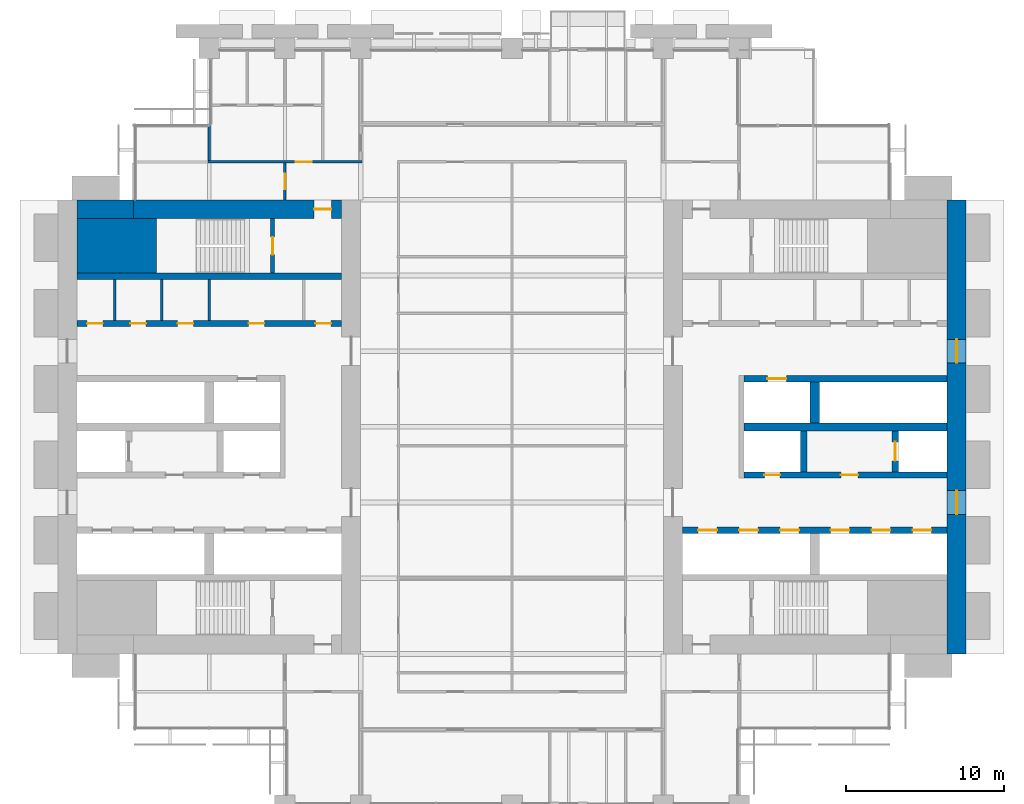
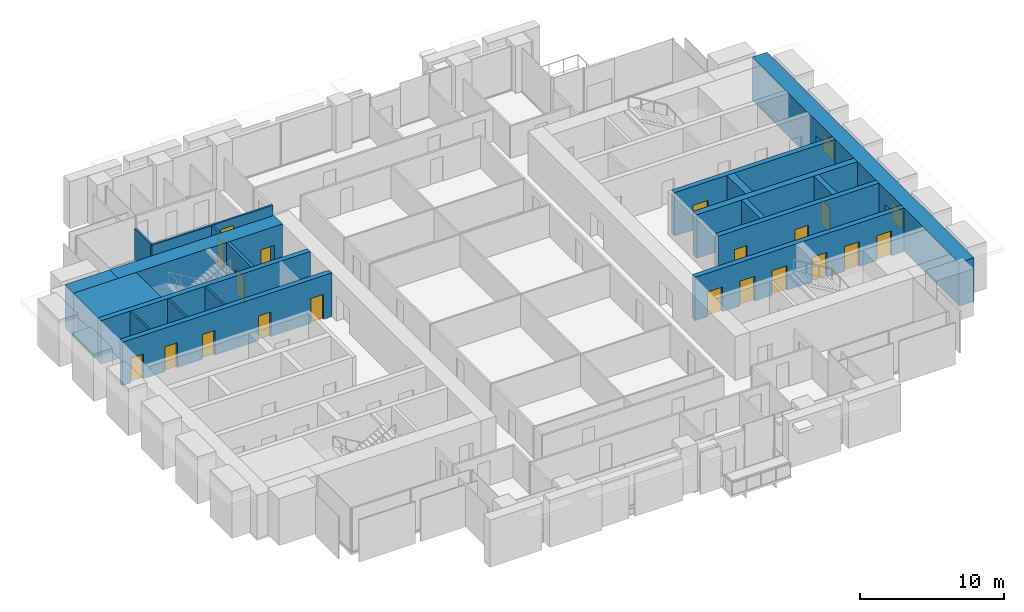
# One storey, part 11 of 15: 20 walls, 19 doors, 2 windows, 21 openings.
"""IFC4 building model written with IfcOpenShell, lengths in metres."""

from ifc_helpers import new_model, si_unit, direction, frame, frame_2d, origin, place, context, subcontext, project, spatial, rectangle, extrude, material, layer, layer_set, type_object, element, fill, save


model = new_model("IFC4")

# Units and contexts
model_context = context("Model", 3, precision=1e-05, world=origin(), true_north=direction((0.0, 1.0)))
body_context = subcontext(model_context, "Body", "Model", "MODEL_VIEW")
ifc_project = project(units=[si_unit("LENGTHUNIT", "METRE"), si_unit("AREAUNIT", "SQUARE_METRE"), si_unit("VOLUMEUNIT", "CUBIC_METRE"), si_unit("PLANEANGLEUNIT", "RADIAN"), si_unit("MASSUNIT", "GRAM", prefix="KILO")], contexts=[model_context])

# Site, building, storey
site_placement = place(None, origin())
site = spatial("IfcSite", under=ifc_project, at=site_placement, CompositionType="ELEMENT")
building_placement = place(site_placement, origin())
building = spatial("IfcBuilding", under=site, at=building_placement, Name="Baori Bourse Tower", CompositionType="ELEMENT")
storey_placement = place(building_placement, frame((0.0, 0.0, 83.0)))
storey = spatial("IfcBuildingStorey", under=building, at=storey_placement, Name="L18", CompositionType="ELEMENT", Elevation=83.0)

# Walls
ifc_material_1 = material(Name="Concrete f'c 70 MPa", Category="concrete")
wall_type_1 = type_object("IfcWallType", Name="Core corner block f'c 70", PredefinedType="SHEAR", material=ifc_material_1)
wall_1_placement = place(storey_placement, frame((1.199951171875, 35.47509765625, 0.0), z_axis=(0.0, 0.0, 1.0), x_axis=(1.0, 0.0, 0.0)))
element("IfcWall", 1, at=wall_1_placement, inside=storey, type_object=wall_type_1, Name="Core wall W23", PredefinedType="SHEAR", context=body_context, shape_type="SweptSolid", body=[
    extrude(rectangle(XDim=5.050048828125, YDim=3.449951171875, at=frame_2d((2.52490234375, 0.0))), origin(), (0.0, 0.0, 1.0), 3.699951171875),
])
ifc_material_2 = material(Name="Blockwork partition", Category="masonry")
ifc_layer_1 = layer(ifc_material_2, 0.14990234375)
ifc_layer_set_1 = layer_set([ifc_layer_1], Name="Core partition 150")
wall_type_2 = type_object("IfcWallType", Name="Core partition 150", PredefinedType="PARTITIONING", material=ifc_layer_set_1)
for number, where, z_axis, x_axis, name in (
    (2, (3.60009765625, 30.75, 0.0), (0.0, 0.0, 1.0), (0.0, 1.0, 0.0), "Partition wall W18"),
    (3, (6.60009765625, 30.75, 0.0), (0.0, 0.0, 1.0), (0.0, 1.0, 0.0), "Partition wall W19"),
    (4, (9.60009765625, 30.75, 0.0), (0.0, 0.0, 1.0), (0.0, 1.0, 0.0), "Partition wall W20"),
):
    element("IfcWall", number, at=place(storey_placement, frame(where, z_axis=z_axis, x_axis=x_axis)), inside=storey, type_object=wall_type_2, Name=name, PredefinedType="PARTITIONING", context=body_context, shape_type="SweptSolid", body=[
        extrude(rectangle(XDim=2.60009765625, YDim=0.14990234375, at=frame_2d((1.300048828125, 0.0))), origin(), (0.0, 0.0, 1.0), 3.699951171875),
    ])
ifc_material_3 = material(Name="Concrete f'c 70 MPa", Category="concrete")
ifc_layer_2 = layer(ifc_material_3, 1.199951171875)
ifc_layer_set_2 = layer_set([ifc_layer_2], Name="Core wall 1200 f'c 70")
wall_type_3 = type_object("IfcWallType", Name="Core wall 1200 f'c 70", PredefinedType="SHEAR", material=ifc_layer_set_2)
wall_2_placement = place(storey_placement, frame((1.199951171875, 37.800048828125, 0.0), z_axis=(0.0, 0.0, 1.0), x_axis=(1.0, 0.0, 0.0)))
element("IfcWall", 5, at=wall_2_placement, inside=storey, type_object=wall_type_3, Name="Core wall W25", PredefinedType="SHEAR", context=body_context, shape_type="SweptSolid", body=[
    extrude(rectangle(XDim=3.60009765625, YDim=1.199951171875, at=frame_2d((1.800048828125, 0.0))), origin(), (0.0, 0.0, 1.0), 3.699951171875),
])

# Wall, opening, door
wall_3_placement = place(storey_placement, frame((4.800048828125, 37.800048828125, 0.0), z_axis=(0.0, 0.0, 1.0), x_axis=(1.0, 0.0, 0.0)))
wall_3 = element("IfcWall", 6, at=wall_3_placement, inside=storey, type_object=wall_type_3, Name="Core wall W26", PredefinedType="SHEAR", context=body_context, shape_type="SweptSolid", body=[
    extrude(rectangle(XDim=13.199951171875, YDim=1.199951171875, at=frame_2d((6.60009765625, 0.0))), origin(), (0.0, 0.0, 1.0), 3.699951171875),
])
opening_1_placement = place(wall_3_placement, frame((11.449951171875, 0.0, 0.0)))
opening_1 = element("IfcOpeningElement", 7, at=opening_1_placement, cuts=wall_3, Name="Opening L18-D104", PredefinedType="OPENING", context=body_context, shape_type="SweptSolid", body=[
    extrude(rectangle(XDim=1.10009765625, YDim=2.10009765625, at=frame_2d((0.550048828125, 1.050048828125))), frame((0.0, 0.60986328125, 0.0), z_axis=(0.0, -1.0, 0.0), x_axis=(1.0, 0.0, 0.0)), (0.0, 0.0, 1.0), 1.219970703125),
])
ifc_material_4 = material(Name="Painted steel door", Category="steel")
door_type_1 = type_object("IfcDoorType", Name="Stair door 1100", OperationType="SINGLE_SWING_LEFT", PredefinedType="DOOR", material=ifc_material_4)
door_1_placement = place(opening_1_placement, origin())
door_1 = element("IfcDoor", 8, at=door_1_placement, inside=storey, type_object=door_type_1, Name="Stair vestibule door B W L18", OperationType="SINGLE_SWING_LEFT", OverallHeight=2.10009765625, OverallWidth=1.10009765625, PredefinedType="DOOR", context=body_context, shape_type="SweptSolid", body=[
    extrude(rectangle(XDim=1.10009765625, YDim=2.10009765625, at=frame_2d((0.550048828125, 1.050048828125))), frame((0.0, 0.02490234375, 0.0), z_axis=(0.0, -1.0, 0.0), x_axis=(1.0, 0.0, 0.0)), (0.0, 0.0, 1.0), 0.050048828125),
])
fill(opening_1, door_1)

# Wall, openings, windows
wall_4_placement = place(storey_placement, frame((57.0, 38.39990234375, 0.0), z_axis=(0.0, 0.0, 1.0), x_axis=(0.0, -1.0, 0.0)))
wall_4 = element("IfcWall", 9, at=wall_4_placement, inside=storey, type_object=wall_type_3, Name="Core wall E01", PredefinedType="SHEAR", context=body_context, shape_type="SweptSolid", body=[
    extrude(rectangle(XDim=28.7998046875, YDim=1.199951171875, at=frame_2d((14.39990234375, 0.0))), origin(), (0.0, 0.0, 1.0), 3.699951171875),
])
opening_2_placement = place(wall_4_placement, frame((18.449951171875, 0.0, 0.89990234375)))
opening_2 = element("IfcOpeningElement", 10, at=opening_2_placement, cuts=wall_4, Name="Opening L18-KW201", PredefinedType="OPENING", context=body_context, shape_type="SweptSolid", body=[
    extrude(rectangle(XDim=1.5, YDim=1.5, at=frame_2d((0.75, 0.75))), frame((0.0, 0.60986328125, 0.0), z_axis=(0.0, -1.0, 0.0), x_axis=(1.0, 0.0, 0.0)), (0.0, 0.0, 1.0), 1.219970703125),
])
opening_3_placement = place(wall_4_placement, frame((8.85009765625, 0.0, 0.89990234375)))
opening_3 = element("IfcOpeningElement", 11, at=opening_3_placement, cuts=wall_4, Name="Opening L18-KW202", PredefinedType="OPENING", context=body_context, shape_type="SweptSolid", body=[
    extrude(rectangle(XDim=1.5, YDim=1.5, at=frame_2d((0.75, 0.75))), frame((0.0, 0.60986328125, 0.0), z_axis=(0.0, -1.0, 0.0), x_axis=(1.0, 0.0, 0.0)), (0.0, 0.0, 1.0), 1.219970703125),
])
ifc_material_5 = material(Name="Pale anodised aluminium", Category="aluminium")
window_type = type_object("IfcWindowType", Name="Lobby window 1500 x 1500", PartitioningType="SINGLE_PANEL", PredefinedType="WINDOW", material=ifc_material_5)
window_1_placement = place(opening_2_placement, origin())
window_1 = element("IfcWindow", 12, at=window_1_placement, inside=storey, type_object=window_type, Name="Outer wall window E L18 1", OverallHeight=1.5, OverallWidth=1.5, PartitioningType="SINGLE_PANEL", PredefinedType="WINDOW", context=body_context, shape_type="SweptSolid", body=[
    extrude(rectangle(XDim=1.5, YDim=1.5, at=frame_2d((0.75, 0.75))), frame((0.0, 0.030029296875, 0.0), z_axis=(0.0, -1.0, 0.0), x_axis=(1.0, 0.0, 0.0)), (0.0, 0.0, 1.0), 0.06005859375),
])
fill(opening_2, window_1)
window_2_placement = place(opening_3_placement, origin())
window_2 = element("IfcWindow", 13, at=window_2_placement, inside=storey, type_object=window_type, Name="Outer wall window E L18 2", OverallHeight=1.5, OverallWidth=1.5, PartitioningType="SINGLE_PANEL", PredefinedType="WINDOW", context=body_context, shape_type="SweptSolid", body=[
    extrude(rectangle(XDim=1.5, YDim=1.5, at=frame_2d((0.75, 0.75))), frame((0.0, 0.030029296875, 0.0), z_axis=(0.0, -1.0, 0.0), x_axis=(1.0, 0.0, 0.0)), (0.0, 0.0, 1.0), 0.06005859375),
])
fill(opening_3, window_2)

# Wall, opening, door
ifc_material_6 = material(Name="Gypsum board partition")
ifc_layer_3 = layer(ifc_material_6, 0.14990234375)
ifc_layer_set_3 = layer_set([ifc_layer_3], Name="Corridor partition 150")
wall_type_4 = type_object("IfcWallType", Name="Corridor partition 150", PredefinedType="PARTITIONING", material=ifc_layer_set_3)
wall_5_placement = place(storey_placement, frame((9.52490234375, 40.800048828125, 0.0), z_axis=(0.0, 0.0, 1.0), x_axis=(1.0, 0.0, 0.0)))
wall_5 = element("IfcWall", 14, at=wall_5_placement, inside=storey, type_object=wall_type_4, Name="Partition", PredefinedType="PARTITIONING", context=body_context, shape_type="SweptSolid", body=[
    extrude(rectangle(XDim=9.75, YDim=0.14990234375, at=frame_2d((4.875, 0.0))), origin(), (0.0, 0.0, 1.0), 2.70947265625),
])
opening_4_placement = place(wall_5_placement, frame((5.574951171875, 0.0, 0.0)))
opening_4 = element("IfcOpeningElement", 15, at=opening_4_placement, cuts=wall_5, Name="Opening L18-D08", PredefinedType="OPENING", context=body_context, shape_type="SweptSolid", body=[
    extrude(rectangle(XDim=1.0, YDim=2.10009765625, at=frame_2d((0.5, 1.050048828125))), frame((0.0, 0.0849609375, 0.0), z_axis=(0.0, -1.0, 0.0), x_axis=(1.0, 0.0, 0.0)), (0.0, 0.0, 1.0), 0.169921875),
])
ifc_material_7 = material(Name="Timber door leaf", Category="wood")
door_type_2 = type_object("IfcDoorType", Name="Door 1000 x 2100", OperationType="SINGLE_SWING_LEFT", PredefinedType="DOOR", material=ifc_material_7)
door_2_placement = place(opening_4_placement, origin())
door_2 = element("IfcDoor", 16, at=door_2_placement, inside=storey, type_object=door_type_2, Name="Door", OperationType="SINGLE_SWING_RIGHT", OverallHeight=2.10009765625, OverallWidth=1.0, PredefinedType="DOOR", context=body_context, shape_type="SweptSolid", body=[
    extrude(rectangle(XDim=1.0, YDim=2.10009765625, at=frame_2d((0.5, 1.050048828125))), frame((0.0, 0.02490234375, 0.0), z_axis=(0.0, -1.0, 0.0), x_axis=(1.0, 0.0, 0.0)), (0.0, 0.0, 1.0), 0.050048828125),
])
fill(opening_4, door_2)

# Wall
wall_6_placement = place(storey_placement, frame((9.60009765625, 40.875, 0.0), z_axis=(0.0, 0.0, 1.0), x_axis=(0.0, 1.0, 0.0)))
element("IfcWall", 17, at=wall_6_placement, inside=storey, type_object=wall_type_4, Name="Partition", PredefinedType="PARTITIONING", context=body_context, shape_type="SweptSolid", body=[
    extrude(rectangle(XDim=2.22509765625, YDim=0.14990234375, at=frame_2d((1.112548828125, 0.0))), origin(), (0.0, 0.0, 1.0), 2.70947265625),
])

# Wall, opening, door
wall_7_placement = place(storey_placement, frame((14.39990234375, 38.39990234375, 0.0), z_axis=(0.0, 0.0, 1.0), x_axis=(0.0, 1.0, 0.0)))
wall_7 = element("IfcWall", 18, at=wall_7_placement, inside=storey, type_object=wall_type_4, Name="Partition", PredefinedType="PARTITIONING", context=body_context, shape_type="SweptSolid", body=[
    extrude(rectangle(XDim=2.3251953125, YDim=0.14990234375, at=frame_2d((1.16259765625, 0.0))), origin(), (0.0, 0.0, 1.0), 2.70947265625),
])
opening_5_placement = place(wall_7_placement, frame((0.66259765625, 0.0, 0.0)))
opening_5 = element("IfcOpeningElement", 19, at=opening_5_placement, cuts=wall_7, Name="Opening L18-D19", PredefinedType="OPENING", context=body_context, shape_type="SweptSolid", body=[
    extrude(rectangle(XDim=1.0, YDim=2.10009765625, at=frame_2d((0.5, 1.050048828125))), frame((0.0, 0.0849609375, 0.0), z_axis=(0.0, -1.0, 0.0), x_axis=(1.0, 0.0, 0.0)), (0.0, 0.0, 1.0), 0.169921875),
])
door_3_placement = place(opening_5_placement, origin())
door_3 = element("IfcDoor", 20, at=door_3_placement, inside=storey, type_object=door_type_2, Name="Door", OperationType="SINGLE_SWING_RIGHT", OverallHeight=2.10009765625, OverallWidth=1.0, PredefinedType="DOOR", context=body_context, shape_type="SweptSolid", body=[
    extrude(rectangle(XDim=1.0, YDim=2.10009765625, at=frame_2d((0.5, 1.050048828125))), frame((0.0, 0.02490234375, 0.0), z_axis=(0.0, -1.0, 0.0), x_axis=(1.0, 0.0, 0.0)), (0.0, 0.0, 1.0), 0.050048828125),
])
fill(opening_5, door_3)

ifc_material_8 = material(Name="Concrete f'c 70 MPa", Category="concrete")
ifc_layer_4 = layer(ifc_material_8, 0.25)
ifc_layer_set_4 = layer_set([ifc_layer_4], Name="Shaft wall 250 f'c 70")
wall_type_5 = type_object("IfcWallType", Name="Shaft wall 250 f'c 70", PredefinedType="SHEAR", material=ifc_layer_set_4)
wall_8_placement = place(storey_placement, frame((13.625, 33.75, 0.0), z_axis=(0.0, 0.0, 1.0), x_axis=(0.0, 1.0, 0.0)))
wall_8 = element("IfcWall", 21, at=wall_8_placement, inside=storey, type_object=wall_type_5, Name="Core wall W24", PredefinedType="SHEAR", context=body_context, shape_type="SweptSolid", body=[
    extrude(rectangle(XDim=3.449951171875, YDim=0.25, at=frame_2d((1.72509765625, 0.0))), origin(), (0.0, 0.0, 1.0), 3.699951171875),
])
opening_6_placement = place(wall_8_placement, frame((1.175048828125, 0.0, 0.0)))
opening_6 = element("IfcOpeningElement", 22, at=opening_6_placement, cuts=wall_8, Name="Opening L18-D103", PredefinedType="OPENING", context=body_context, shape_type="SweptSolid", body=[
    extrude(rectangle(XDim=1.10009765625, YDim=2.10009765625, at=frame_2d((0.550048828125, 1.050048828125))), frame((0.0, 0.135009765625, 0.0), z_axis=(0.0, -1.0, 0.0), x_axis=(1.0, 0.0, 0.0)), (0.0, 0.0, 1.0), 0.27001953125),
])
door_4_placement = place(opening_6_placement, origin())
door_4 = element("IfcDoor", 23, at=door_4_placement, inside=storey, type_object=door_type_1, Name="Stair door B W L18", OperationType="SINGLE_SWING_LEFT", OverallHeight=2.10009765625, OverallWidth=1.10009765625, PredefinedType="DOOR", context=body_context, shape_type="SweptSolid", body=[
    extrude(rectangle(XDim=1.10009765625, YDim=2.10009765625, at=frame_2d((0.550048828125, 1.050048828125))), frame((0.0, 0.02490234375, 0.0), z_axis=(0.0, -1.0, 0.0), x_axis=(1.0, 0.0, 0.0)), (0.0, 0.0, 1.0), 0.050048828125),
])
fill(opening_6, door_4)

# Wall, openings, doors
ifc_material_9 = material(Name="Concrete f'c 70 MPa", Category="concrete")
ifc_layer_5 = layer(ifc_material_9, 0.39990234375)
ifc_layer_set_5 = layer_set([ifc_layer_5], Name="Shaft wall 400 f'c 70")
wall_type_6 = type_object("IfcWallType", Name="Shaft wall 400 f'c 70", PredefinedType="SHEAR", material=ifc_layer_set_5)
wall_9_placement = place(storey_placement, frame((1.199951171875, 30.550048828125, 0.0), z_axis=(0.0, 0.0, 1.0), x_axis=(1.0, 0.0, 0.0)))
wall_9 = element("IfcWall", 24, at=wall_9_placement, inside=storey, type_object=wall_type_6, Name="Core wall W17", PredefinedType="SHEAR", context=body_context, shape_type="SweptSolid", body=[
    extrude(rectangle(XDim=16.800048828125, YDim=0.39990234375, at=frame_2d((8.39990234375, 0.0))), origin(), (0.0, 0.0, 1.0), 3.699951171875),
])
opening_7_placement = place(wall_9_placement, frame((0.66259765625, 0.0, 0.0)))
opening_7 = element("IfcOpeningElement", 25, at=opening_7_placement, cuts=wall_9, Name="Opening L18-D109", PredefinedType="OPENING", context=body_context, shape_type="SweptSolid", body=[
    extrude(rectangle(XDim=1.0, YDim=2.10009765625, at=frame_2d((0.5, 1.050048828125))), frame((0.0, 0.2099609375, 0.0), z_axis=(0.0, -1.0, 0.0), x_axis=(1.0, 0.0, 0.0)), (0.0, 0.0, 1.0), 0.419921875),
])
opening_8_placement = place(wall_9_placement, frame((3.39990234375, 0.0, 0.0)))
opening_8 = element("IfcOpeningElement", 26, at=opening_8_placement, cuts=wall_9, Name="Opening L18-D110", PredefinedType="OPENING", context=body_context, shape_type="SweptSolid", body=[
    extrude(rectangle(XDim=1.0, YDim=2.10009765625, at=frame_2d((0.5, 1.050048828125))), frame((0.0, 0.2099609375, 0.0), z_axis=(0.0, -1.0, 0.0), x_axis=(1.0, 0.0, 0.0)), (0.0, 0.0, 1.0), 0.419921875),
])
opening_9_placement = place(wall_9_placement, frame((6.39990234375, 0.0, 0.0)))
opening_9 = element("IfcOpeningElement", 27, at=opening_9_placement, cuts=wall_9, Name="Opening L18-D111", PredefinedType="OPENING", context=body_context, shape_type="SweptSolid", body=[
    extrude(rectangle(XDim=1.0, YDim=2.10009765625, at=frame_2d((0.5, 1.050048828125))), frame((0.0, 0.2099609375, 0.0), z_axis=(0.0, -1.0, 0.0), x_axis=(1.0, 0.0, 0.0)), (0.0, 0.0, 1.0), 0.419921875),
])
opening_10_placement = place(wall_9_placement, frame((10.89990234375, 0.0, 0.0)))
opening_10 = element("IfcOpeningElement", 28, at=opening_10_placement, cuts=wall_9, Name="Opening L18-D112", PredefinedType="OPENING", context=body_context, shape_type="SweptSolid", body=[
    extrude(rectangle(XDim=1.0, YDim=2.10009765625, at=frame_2d((0.5, 1.050048828125))), frame((0.0, 0.2099609375, 0.0), z_axis=(0.0, -1.0, 0.0), x_axis=(1.0, 0.0, 0.0)), (0.0, 0.0, 1.0), 0.419921875),
])
opening_11_placement = place(wall_9_placement, frame((15.137451171875, 0.0, 0.0)))
opening_11 = element("IfcOpeningElement", 29, at=opening_11_placement, cuts=wall_9, Name="Opening L18-D113", PredefinedType="OPENING", context=body_context, shape_type="SweptSolid", body=[
    extrude(rectangle(XDim=1.0, YDim=2.10009765625, at=frame_2d((0.5, 1.050048828125))), frame((0.0, 0.2099609375, 0.0), z_axis=(0.0, -1.0, 0.0), x_axis=(1.0, 0.0, 0.0)), (0.0, 0.0, 1.0), 0.419921875),
])
ifc_material_10 = material(Name="Painted steel door", Category="steel")
door_type_3 = type_object("IfcDoorType", Name="Core door 1000", OperationType="SINGLE_SWING_LEFT", PredefinedType="DOOR", material=ifc_material_10)
door_5_placement = place(opening_7_placement, origin())
door_5 = element("IfcDoor", 30, at=door_5_placement, inside=storey, type_object=door_type_3, Name="Janitor'S Closet door W L18", OperationType="SINGLE_SWING_LEFT", OverallHeight=2.10009765625, OverallWidth=1.0, PredefinedType="DOOR", context=body_context, shape_type="SweptSolid", body=[
    extrude(rectangle(XDim=1.0, YDim=2.10009765625, at=frame_2d((0.5, 1.050048828125))), frame((0.0, 0.02490234375, 0.0), z_axis=(0.0, -1.0, 0.0), x_axis=(1.0, 0.0, 0.0)), (0.0, 0.0, 1.0), 0.050048828125),
])
fill(opening_7, door_5)
door_6_placement = place(opening_8_placement, origin())
door_6 = element("IfcDoor", 31, at=door_6_placement, inside=storey, type_object=door_type_3, Name="Women'S Wc door W L18", OperationType="SINGLE_SWING_LEFT", OverallHeight=2.10009765625, OverallWidth=1.0, PredefinedType="DOOR", context=body_context, shape_type="SweptSolid", body=[
    extrude(rectangle(XDim=1.0, YDim=2.10009765625, at=frame_2d((0.5, 1.050048828125))), frame((0.0, 0.02490234375, 0.0), z_axis=(0.0, -1.0, 0.0), x_axis=(1.0, 0.0, 0.0)), (0.0, 0.0, 1.0), 0.050048828125),
])
fill(opening_8, door_6)
door_7_placement = place(opening_9_placement, origin())
door_7 = element("IfcDoor", 32, at=door_7_placement, inside=storey, type_object=door_type_3, Name="Accessible Wc door W L18", OperationType="SINGLE_SWING_LEFT", OverallHeight=2.10009765625, OverallWidth=1.0, PredefinedType="DOOR", context=body_context, shape_type="SweptSolid", body=[
    extrude(rectangle(XDim=1.0, YDim=2.10009765625, at=frame_2d((0.5, 1.050048828125))), frame((0.0, 0.02490234375, 0.0), z_axis=(0.0, -1.0, 0.0), x_axis=(1.0, 0.0, 0.0)), (0.0, 0.0, 1.0), 0.050048828125),
])
fill(opening_9, door_7)
door_8_placement = place(opening_10_placement, origin())
door_8 = element("IfcDoor", 33, at=door_8_placement, inside=storey, type_object=door_type_3, Name="Men'S Wc door W L18", OperationType="SINGLE_SWING_LEFT", OverallHeight=2.10009765625, OverallWidth=1.0, PredefinedType="DOOR", context=body_context, shape_type="SweptSolid", body=[
    extrude(rectangle(XDim=1.0, YDim=2.10009765625, at=frame_2d((0.5, 1.050048828125))), frame((0.0, 0.02490234375, 0.0), z_axis=(0.0, -1.0, 0.0), x_axis=(1.0, 0.0, 0.0)), (0.0, 0.0, 1.0), 0.050048828125),
])
fill(opening_10, door_8)
door_9_placement = place(opening_11_placement, origin())
door_9 = element("IfcDoor", 34, at=door_9_placement, inside=storey, type_object=door_type_3, Name="Pantry door W L18", OperationType="SINGLE_SWING_LEFT", OverallHeight=2.10009765625, OverallWidth=1.0, PredefinedType="DOOR", context=body_context, shape_type="SweptSolid", body=[
    extrude(rectangle(XDim=1.0, YDim=2.10009765625, at=frame_2d((0.5, 1.050048828125))), frame((0.0, 0.02490234375, 0.0), z_axis=(0.0, -1.0, 0.0), x_axis=(1.0, 0.0, 0.0)), (0.0, 0.0, 1.0), 0.050048828125),
])
fill(opening_11, door_9)

# Wall
wall_10_placement = place(storey_placement, frame((1.199951171875, 33.550048828125, 0.0), z_axis=(0.0, 0.0, 1.0), x_axis=(1.0, 0.0, 0.0)))
element("IfcWall", 35, at=wall_10_placement, inside=storey, type_object=wall_type_6, Name="Core wall W22", PredefinedType="SHEAR", context=body_context, shape_type="SweptSolid", body=[
    extrude(rectangle(XDim=16.800048828125, YDim=0.39990234375, at=frame_2d((8.39990234375, 0.0))), origin(), (0.0, 0.0, 1.0), 3.699951171875),
])

# Wall, openings, doors
wall_11_placement = place(storey_placement, frame((39.60009765625, 17.449951171875, 0.0), z_axis=(0.0, 0.0, 1.0), x_axis=(1.0, 0.0, 0.0)))
wall_11 = element("IfcWall", 36, at=wall_11_placement, inside=storey, type_object=wall_type_6, Name="Core wall E09", PredefinedType="SHEAR", context=body_context, shape_type="SweptSolid", body=[
    extrude(rectangle(XDim=16.7998046875, YDim=0.39990234375, at=frame_2d((8.39990234375, 0.0))), origin(), (0.0, 0.0, 1.0), 3.699951171875),
])
opening_12_placement = place(wall_11_placement, frame((14.60009765625, 0.0, 0.0)))
opening_12 = element("IfcOpeningElement", 37, at=opening_12_placement, cuts=wall_11, Name="Opening L18-D214", PredefinedType="OPENING", context=body_context, shape_type="SweptSolid", body=[
    extrude(rectangle(XDim=1.199951171875, YDim=2.10009765625, at=frame_2d((0.60009765625, 1.050048828125))), frame((0.0, 0.2099609375, 0.0), z_axis=(0.0, -1.0, 0.0), x_axis=(1.0, 0.0, 0.0)), (0.0, 0.0, 1.0), 0.419921875),
])
opening_13_placement = place(wall_11_placement, frame((12.0, 0.0, 0.0)))
opening_13 = element("IfcOpeningElement", 38, at=opening_13_placement, cuts=wall_11, Name="Opening L18-D215", PredefinedType="OPENING", context=body_context, shape_type="SweptSolid", body=[
    extrude(rectangle(XDim=1.199951171875, YDim=2.10009765625, at=frame_2d((0.60009765625, 1.050048828125))), frame((0.0, 0.2099609375, 0.0), z_axis=(0.0, -1.0, 0.0), x_axis=(1.0, 0.0, 0.0)), (0.0, 0.0, 1.0), 0.419921875),
])
opening_14_placement = place(wall_11_placement, frame((9.39990234375, 0.0, 0.0)))
opening_14 = element("IfcOpeningElement", 39, at=opening_14_placement, cuts=wall_11, Name="Opening L18-D216", PredefinedType="OPENING", context=body_context, shape_type="SweptSolid", body=[
    extrude(rectangle(XDim=1.199951171875, YDim=2.10009765625, at=frame_2d((0.60009765625, 1.050048828125))), frame((0.0, 0.2099609375, 0.0), z_axis=(0.0, -1.0, 0.0), x_axis=(1.0, 0.0, 0.0)), (0.0, 0.0, 1.0), 0.419921875),
])
opening_15_placement = place(wall_11_placement, frame((6.199951171875, 0.0, 0.0)))
opening_15 = element("IfcOpeningElement", 40, at=opening_15_placement, cuts=wall_11, Name="Opening L18-D217", PredefinedType="OPENING", context=body_context, shape_type="SweptSolid", body=[
    extrude(rectangle(XDim=1.199951171875, YDim=2.10009765625, at=frame_2d((0.60009765625, 1.050048828125))), frame((0.0, 0.2099609375, 0.0), z_axis=(0.0, -1.0, 0.0), x_axis=(1.0, 0.0, 0.0)), (0.0, 0.0, 1.0), 0.419921875),
])
opening_16_placement = place(wall_11_placement, frame((3.60009765625, 0.0, 0.0)))
opening_16 = element("IfcOpeningElement", 41, at=opening_16_placement, cuts=wall_11, Name="Opening L18-D218", PredefinedType="OPENING", context=body_context, shape_type="SweptSolid", body=[
    extrude(rectangle(XDim=1.199951171875, YDim=2.10009765625, at=frame_2d((0.60009765625, 1.050048828125))), frame((0.0, 0.2099609375, 0.0), z_axis=(0.0, -1.0, 0.0), x_axis=(1.0, 0.0, 0.0)), (0.0, 0.0, 1.0), 0.419921875),
])
opening_17_placement = place(wall_11_placement, frame((1.0, 0.0, 0.0)))
opening_17 = element("IfcOpeningElement", 42, at=opening_17_placement, cuts=wall_11, Name="Opening L18-D219", PredefinedType="OPENING", context=body_context, shape_type="SweptSolid", body=[
    extrude(rectangle(XDim=1.199951171875, YDim=2.10009765625, at=frame_2d((0.60009765625, 1.050048828125))), frame((0.0, 0.2099609375, 0.0), z_axis=(0.0, -1.0, 0.0), x_axis=(1.0, 0.0, 0.0)), (0.0, 0.0, 1.0), 0.419921875),
])
ifc_material_11 = material(Name="Stainless steel door", Category="steel")
door_type_4 = type_object("IfcDoorType", Name="Lift landing door", OperationType="DOUBLE_DOOR_SLIDING", PredefinedType="DOOR", material=ifc_material_11)
door_10_placement = place(opening_12_placement, origin())
door_10 = element("IfcDoor", 43, at=door_10_placement, inside=storey, type_object=door_type_4, Name="Lift landing door LR1 E L18", OperationType="DOUBLE_DOOR_SLIDING", OverallHeight=2.10009765625, OverallWidth=1.199951171875, PredefinedType="DOOR", context=body_context, shape_type="SweptSolid", body=[
    extrude(rectangle(XDim=1.199951171875, YDim=2.10009765625, at=frame_2d((0.60009765625, 1.050048828125))), frame((0.0, 0.02490234375, 0.0), z_axis=(0.0, -1.0, 0.0), x_axis=(1.0, 0.0, 0.0)), (0.0, 0.0, 1.0), 0.050048828125),
])
fill(opening_12, door_10)
door_11_placement = place(opening_13_placement, origin())
door_11 = element("IfcDoor", 44, at=door_11_placement, inside=storey, type_object=door_type_4, Name="Lift landing door LR2 E L18", OperationType="DOUBLE_DOOR_SLIDING", OverallHeight=2.10009765625, OverallWidth=1.199951171875, PredefinedType="DOOR", context=body_context, shape_type="SweptSolid", body=[
    extrude(rectangle(XDim=1.199951171875, YDim=2.10009765625, at=frame_2d((0.60009765625, 1.050048828125))), frame((0.0, 0.02490234375, 0.0), z_axis=(0.0, -1.0, 0.0), x_axis=(1.0, 0.0, 0.0)), (0.0, 0.0, 1.0), 0.050048828125),
])
fill(opening_13, door_11)
door_12_placement = place(opening_14_placement, origin())
door_12 = element("IfcDoor", 45, at=door_12_placement, inside=storey, type_object=door_type_4, Name="Lift landing door LR3 E L18", OperationType="DOUBLE_DOOR_SLIDING", OverallHeight=2.10009765625, OverallWidth=1.199951171875, PredefinedType="DOOR", context=body_context, shape_type="SweptSolid", body=[
    extrude(rectangle(XDim=1.199951171875, YDim=2.10009765625, at=frame_2d((0.60009765625, 1.050048828125))), frame((0.0, 0.02490234375, 0.0), z_axis=(0.0, -1.0, 0.0), x_axis=(1.0, 0.0, 0.0)), (0.0, 0.0, 1.0), 0.050048828125),
])
fill(opening_14, door_12)
door_13_placement = place(opening_15_placement, origin())
door_13 = element("IfcDoor", 46, at=door_13_placement, inside=storey, type_object=door_type_4, Name="Lift landing door LR4 E L18", OperationType="DOUBLE_DOOR_SLIDING", OverallHeight=2.10009765625, OverallWidth=1.199951171875, PredefinedType="DOOR", context=body_context, shape_type="SweptSolid", body=[
    extrude(rectangle(XDim=1.199951171875, YDim=2.10009765625, at=frame_2d((0.60009765625, 1.050048828125))), frame((0.0, 0.02490234375, 0.0), z_axis=(0.0, -1.0, 0.0), x_axis=(1.0, 0.0, 0.0)), (0.0, 0.0, 1.0), 0.050048828125),
])
fill(opening_15, door_13)
door_14_placement = place(opening_16_placement, origin())
door_14 = element("IfcDoor", 47, at=door_14_placement, inside=storey, type_object=door_type_4, Name="Lift landing door LR5 E L18", OperationType="DOUBLE_DOOR_SLIDING", OverallHeight=2.10009765625, OverallWidth=1.199951171875, PredefinedType="DOOR", context=body_context, shape_type="SweptSolid", body=[
    extrude(rectangle(XDim=1.199951171875, YDim=2.10009765625, at=frame_2d((0.60009765625, 1.050048828125))), frame((0.0, 0.02490234375, 0.0), z_axis=(0.0, -1.0, 0.0), x_axis=(1.0, 0.0, 0.0)), (0.0, 0.0, 1.0), 0.050048828125),
])
fill(opening_16, door_14)
door_15_placement = place(opening_17_placement, origin())
door_15 = element("IfcDoor", 48, at=door_15_placement, inside=storey, type_object=door_type_4, Name="Lift landing door LR6 E L18", OperationType="DOUBLE_DOOR_SLIDING", OverallHeight=2.10009765625, OverallWidth=1.199951171875, PredefinedType="DOOR", context=body_context, shape_type="SweptSolid", body=[
    extrude(rectangle(XDim=1.199951171875, YDim=2.10009765625, at=frame_2d((0.60009765625, 1.050048828125))), frame((0.0, 0.02490234375, 0.0), z_axis=(0.0, -1.0, 0.0), x_axis=(1.0, 0.0, 0.0)), (0.0, 0.0, 1.0), 0.050048828125),
])
fill(opening_17, door_15)

wall_12_placement = place(storey_placement, frame((43.5, 20.949951171875, 0.0), z_axis=(0.0, 0.0, 1.0), x_axis=(1.0, 0.0, 0.0)))
wall_12 = element("IfcWall", 49, at=wall_12_placement, inside=storey, type_object=wall_type_6, Name="Core wall E10", PredefinedType="SHEAR", context=body_context, shape_type="SweptSolid", body=[
    extrude(rectangle(XDim=12.89990234375, YDim=0.39990234375, at=frame_2d((6.449951171875, 0.0))), origin(), (0.0, 0.0, 1.0), 3.699951171875),
])
opening_18_placement = place(wall_12_placement, frame((6.14990234375, 0.0, 0.0)))
opening_18 = element("IfcOpeningElement", 50, at=opening_18_placement, cuts=wall_12, Name="Opening L18-D205", PredefinedType="OPENING", context=body_context, shape_type="SweptSolid", body=[
    extrude(rectangle(XDim=1.10009765625, YDim=2.10009765625, at=frame_2d((0.550048828125, 1.050048828125))), frame((0.0, 0.2099609375, 0.0), z_axis=(0.0, -1.0, 0.0), x_axis=(1.0, 0.0, 0.0)), (0.0, 0.0, 1.0), 0.419921875),
])
opening_19_placement = place(wall_12_placement, frame((1.300048828125, 0.0, 0.0)))
opening_19 = element("IfcOpeningElement", 51, at=opening_19_placement, cuts=wall_12, Name="Opening L18-D206", PredefinedType="OPENING", context=body_context, shape_type="SweptSolid", body=[
    extrude(rectangle(XDim=1.0, YDim=2.10009765625, at=frame_2d((0.5, 1.050048828125))), frame((0.0, 0.2099609375, 0.0), z_axis=(0.0, -1.0, 0.0), x_axis=(1.0, 0.0, 0.0)), (0.0, 0.0, 1.0), 0.419921875),
])
ifc_material_12 = material(Name="Painted steel door", Category="steel")
door_type_5 = type_object("IfcDoorType", Name="Lobby door 1100", OperationType="SINGLE_SWING_LEFT", PredefinedType="DOOR", material=ifc_material_12)
door_16_placement = place(opening_18_placement, origin())
door_16 = element("IfcDoor", 52, at=door_16_placement, inside=storey, type_object=door_type_5, Name="Firefighting lobby door E L18", OperationType="SINGLE_SWING_LEFT", OverallHeight=2.10009765625, OverallWidth=1.10009765625, PredefinedType="DOOR", context=body_context, shape_type="SweptSolid", body=[
    extrude(rectangle(XDim=1.10009765625, YDim=2.10009765625, at=frame_2d((0.550048828125, 1.050048828125))), frame((0.0, 0.02490234375, 0.0), z_axis=(0.0, -1.0, 0.0), x_axis=(1.0, 0.0, 0.0)), (0.0, 0.0, 1.0), 0.050048828125),
])
fill(opening_18, door_16)
ifc_material_13 = material(Name="Painted steel door", Category="steel")
door_type_6 = type_object("IfcDoorType", Name="Shaft door 1000", OperationType="SINGLE_SWING_LEFT", PredefinedType="DOOR", material=ifc_material_13)
door_17_placement = place(opening_19_placement, origin())
door_17 = element("IfcDoor", 53, at=door_17_placement, inside=storey, type_object=door_type_6, Name="Riser room door E L18", OperationType="SINGLE_SWING_LEFT", OverallHeight=2.10009765625, OverallWidth=1.0, PredefinedType="DOOR", context=body_context, shape_type="SweptSolid", body=[
    extrude(rectangle(XDim=1.0, YDim=2.10009765625, at=frame_2d((0.5, 1.050048828125))), frame((0.0, 0.02490234375, 0.0), z_axis=(0.0, -1.0, 0.0), x_axis=(1.0, 0.0, 0.0)), (0.0, 0.0, 1.0), 0.050048828125),
])
fill(opening_19, door_17)

# Wall, opening, door
wall_13_placement = place(storey_placement, frame((53.10009765625, 21.14990234375, 0.0), z_axis=(0.0, 0.0, 1.0), x_axis=(0.0, 1.0, 0.0)))
wall_13 = element("IfcWall", 54, at=wall_13_placement, inside=storey, type_object=wall_type_6, Name="Core wall E12", PredefinedType="SHEAR", context=body_context, shape_type="SweptSolid", body=[
    extrude(rectangle(XDim=2.60009765625, YDim=0.39990234375, at=frame_2d((1.300048828125, 0.0))), origin(), (0.0, 0.0, 1.0), 3.699951171875),
])
opening_20_placement = place(wall_13_placement, frame((0.699951171875, 0.0, 0.0)))
opening_20 = element("IfcOpeningElement", 55, at=opening_20_placement, cuts=wall_13, Name="Opening L18-D221", PredefinedType="OPENING", context=body_context, shape_type="SweptSolid", body=[
    extrude(rectangle(XDim=1.199951171875, YDim=2.10009765625, at=frame_2d((0.60009765625, 1.050048828125))), frame((0.0, 0.2099609375, 0.0), z_axis=(0.0, -1.0, 0.0), x_axis=(1.0, 0.0, 0.0)), (0.0, 0.0, 1.0), 0.419921875),
])
door_18_placement = place(opening_20_placement, origin())
door_18 = element("IfcDoor", 56, at=door_18_placement, inside=storey, type_object=door_type_4, Name="Lift landing door FF2 E L18", OperationType="DOUBLE_DOOR_SLIDING", OverallHeight=2.10009765625, OverallWidth=1.199951171875, PredefinedType="DOOR", context=body_context, shape_type="SweptSolid", body=[
    extrude(rectangle(XDim=1.199951171875, YDim=2.10009765625, at=frame_2d((0.60009765625, 1.050048828125))), frame((0.0, 0.02490234375, 0.0), z_axis=(0.0, -1.0, 0.0), x_axis=(1.0, 0.0, 0.0)), (0.0, 0.0, 1.0), 0.050048828125),
])
fill(opening_20, door_18)

# Wall
wall_14_placement = place(storey_placement, frame((47.300048828125, 21.14990234375, 0.0), z_axis=(0.0, 0.0, 1.0), x_axis=(0.0, 1.0, 0.0)))
element("IfcWall", 57, at=wall_14_placement, inside=storey, type_object=wall_type_6, Name="Core wall E13", PredefinedType="SHEAR", context=body_context, shape_type="SweptSolid", body=[
    extrude(rectangle(XDim=2.60009765625, YDim=0.39990234375, at=frame_2d((1.300048828125, 0.0))), origin(), (0.0, 0.0, 1.0), 3.699951171875),
])

# Wall, opening, door
wall_15_placement = place(storey_placement, frame((43.5, 27.050048828125, 0.0), z_axis=(0.0, 0.0, 1.0), x_axis=(1.0, 0.0, 0.0)))
wall_15 = element("IfcWall", 58, at=wall_15_placement, inside=storey, type_object=wall_type_6, Name="Core wall E16", PredefinedType="SHEAR", context=body_context, shape_type="SweptSolid", body=[
    extrude(rectangle(XDim=12.89990234375, YDim=0.39990234375, at=frame_2d((6.449951171875, 0.0))), origin(), (0.0, 0.0, 1.0), 3.699951171875),
])
opening_21_placement = place(wall_15_placement, frame((1.5, 0.0, 0.0)))
opening_21 = element("IfcOpeningElement", 59, at=opening_21_placement, cuts=wall_15, Name="Opening L18-D220", PredefinedType="OPENING", context=body_context, shape_type="SweptSolid", body=[
    extrude(rectangle(XDim=1.199951171875, YDim=2.10009765625, at=frame_2d((0.60009765625, 1.050048828125))), frame((0.0, 0.2099609375, 0.0), z_axis=(0.0, -1.0, 0.0), x_axis=(1.0, 0.0, 0.0)), (0.0, 0.0, 1.0), 0.419921875),
])
door_19_placement = place(opening_21_placement, origin())
door_19 = element("IfcDoor", 60, at=door_19_placement, inside=storey, type_object=door_type_4, Name="Lift landing door SV1 E L18", OperationType="DOUBLE_DOOR_SLIDING", OverallHeight=2.10009765625, OverallWidth=1.199951171875, PredefinedType="DOOR", context=body_context, shape_type="SweptSolid", body=[
    extrude(rectangle(XDim=1.199951171875, YDim=2.10009765625, at=frame_2d((0.60009765625, 1.050048828125))), frame((0.0, 0.02490234375, 0.0), z_axis=(0.0, -1.0, 0.0), x_axis=(1.0, 0.0, 0.0)), (0.0, 0.0, 1.0), 0.050048828125),
])
fill(opening_21, door_19)

# Walls
ifc_material_14 = material(Name="Concrete f'c 70 MPa", Category="concrete")
ifc_layer_6 = layer(ifc_material_14, 0.5)
ifc_layer_set_6 = layer_set([ifc_layer_6], Name="Shaft wall 500 f'c 70")
wall_type_7 = type_object("IfcWallType", Name="Shaft wall 500 f'c 70", PredefinedType="SHEAR", material=ifc_layer_set_6)
wall_16_placement = place(storey_placement, frame((43.5, 24.0, 0.0), z_axis=(0.0, 0.0, 1.0), x_axis=(1.0, 0.0, 0.0)))
element("IfcWall", 61, at=wall_16_placement, inside=storey, type_object=wall_type_7, Name="Core wall E14", PredefinedType="SHEAR", context=body_context, shape_type="SweptSolid", body=[
    extrude(rectangle(XDim=12.89990234375, YDim=0.5, at=frame_2d((6.449951171875, 0.0))), origin(), (0.0, 0.0, 1.0), 3.699951171875),
])
ifc_material_15 = material(Name="Concrete f'c 70 MPa", Category="concrete")
ifc_layer_7 = layer(ifc_material_15, 0.60009765625)
ifc_layer_set_7 = layer_set([ifc_layer_7], Name="Shaft wall 600 f'c 70")
wall_type_8 = type_object("IfcWallType", Name="Shaft wall 600 f'c 70", PredefinedType="SHEAR", material=ifc_layer_set_7)
wall_17_placement = place(storey_placement, frame((48.0, 24.25, 0.0), z_axis=(0.0, 0.0, 1.0), x_axis=(0.0, 1.0, 0.0)))
element("IfcWall", 62, at=wall_17_placement, inside=storey, type_object=wall_type_8, Name="Core wall E15", PredefinedType="SHEAR", context=body_context, shape_type="SweptSolid", body=[
    extrude(rectangle(XDim=2.60009765625, YDim=0.60009765625, at=frame_2d((1.300048828125, 0.0))), origin(), (0.0, 0.0, 1.0), 3.699951171875),
])

save(model, "model.ifc")
